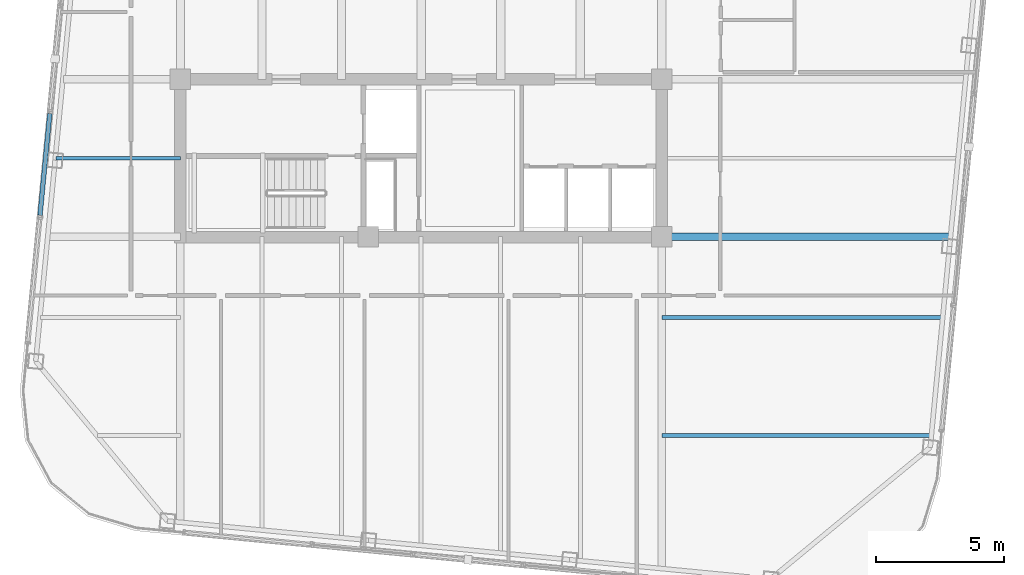
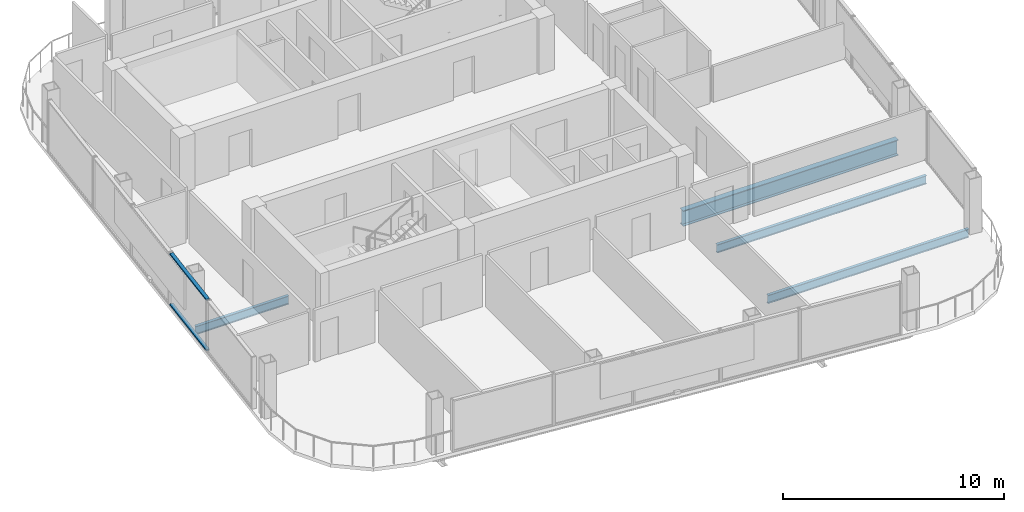
# One storey, part 6 of 22: 4 beams, 2 members, 1 element without a shape of its own.
"""IFC4 building model written with IfcOpenShell, lengths in metres."""

from ifc_helpers import new_model, si_unit, direction, frame, origin, origin_2d, place, context, subcontext, project, spatial, hollow_rectangle, i_section, extrude, material, layer, layer_set, material_profile, profile_set, type_object, element, aggregate, save


model = new_model("IFC4")

# Units and contexts
model_context = context("Model", 3, precision=1e-05, world=origin(), true_north=direction((0.0, 1.0)))
body_context = subcontext(model_context, "Body", "Model", "MODEL_VIEW")
ifc_project = project(units=[si_unit("LENGTHUNIT", "METRE"), si_unit("AREAUNIT", "SQUARE_METRE"), si_unit("VOLUMEUNIT", "CUBIC_METRE"), si_unit("PLANEANGLEUNIT", "RADIAN"), si_unit("MASSUNIT", "GRAM", prefix="KILO")], contexts=[model_context])

# Site, building, storey
site_placement = place(None, origin())
site = spatial("IfcSite", under=ifc_project, at=site_placement, CompositionType="ELEMENT")
building_placement = place(site_placement, origin())
building = spatial("IfcBuilding", under=site, at=building_placement, Name="Qhalaya Broadcast Tower", CompositionType="ELEMENT")
storey_placement = place(building_placement, frame((0.0, 0.0, 252.0)))
storey = spatial("IfcBuildingStorey", under=building, at=storey_placement, Name="L74", CompositionType="ELEMENT", Elevation=252.0)

# Beams
ifc_material_1 = material(Name="Structural Steel ASTM A992 Grade 50", Category="steel")
ifc_material_profile_1 = material_profile(ifc_material_1, i_section(OverallWidth=0.154052734375, OverallDepth=0.458984375, WebThickness=0.009033203125, FlangeThickness=0.015380859375, at=origin_2d()), Name="W18X46")
ifc_profile_set_1 = profile_set([ifc_material_profile_1], Name="Structural Steel ASTM A992 Grade 50")
beam_type_1 = type_object("IfcBeamType", Name="Composite Floor Joist J04", PredefinedType="JOIST", material=ifc_profile_set_1)
beam_1_placement = place(storey_placement, frame((9.375, -16.5, -0.41943359375), z_axis=(1.0, 0.0, 0.0), x_axis=(0.0, 1.0, 0.0)))
element("IfcBeam", 1, at=beam_1_placement, inside=storey, type_object=beam_type_1, Name="L74 J04 L74-JWE1E-1", PredefinedType="JOIST", context=body_context, shape_type="SweptSolid", body=[
    extrude(i_section(OverallWidth=0.154052734375, OverallDepth=0.458984375, WebThickness=0.009033203125, FlangeThickness=0.015380859375, at=origin_2d()), origin(), (0.0, 0.0, 1.0), 10.47802734375),
])
beam_2_placement = place(storey_placement, frame((9.375, -11.89990234375, -0.41943359375), z_axis=(1.0, 0.0, 0.0), x_axis=(0.0, 1.0, 0.0)))
element("IfcBeam", 2, at=beam_2_placement, inside=storey, type_object=beam_type_1, Name="L74 J04 L74-JWE2E-1", PredefinedType="JOIST", context=body_context, shape_type="SweptSolid", body=[
    extrude(i_section(OverallWidth=0.154052734375, OverallDepth=0.458984375, WebThickness=0.009033203125, FlangeThickness=0.015380859375, at=origin_2d()), origin(), (0.0, 0.0, 1.0), 10.9208984375),
])
beam_3_placement = place(storey_placement, frame((-14.228759765625, -5.699951171875, -0.41943359375), z_axis=(1.0, 0.0, 0.0), x_axis=(0.0, 1.0, 0.0)))
element("IfcBeam", 3, at=beam_3_placement, inside=storey, type_object=beam_type_1, Name="L74 J04 L74-JWE3W-1", PredefinedType="JOIST", context=body_context, shape_type="SweptSolid", body=[
    extrude(i_section(OverallWidth=0.154052734375, OverallDepth=0.458984375, WebThickness=0.009033203125, FlangeThickness=0.015380859375, at=origin_2d()), origin(), (0.0, 0.0, 1.0), 4.853759765625),
])

# Curtain wall, members
ifc_material_2 = material(Name="Solar-Control Low-E Triple Glazing", Category="glass")
ifc_layer = layer(ifc_material_2, 0.219970703125, Name="Solar-Control Low-E Triple Glazing")
ifc_layer_set = layer_set([ifc_layer], Name="Solar-Control Low-E Triple Glazing")
curtain_wall_type = type_object("IfcCurtainWallType", Name="High-Altitude Upper-Shaft Triple Low-E Curtain Wall CW-04", PredefinedType="NOTDEFINED", material=ifc_layer_set)
curtain_wall_placement = place(storey_placement, origin())
curtain_wall = element("IfcCurtainWall", 4, at=curtain_wall_placement, inside=storey, type_object=curtain_wall_type, Name="L74 Unitised Curtain Wall L74-CW-W4", PredefinedType="NOTDEFINED")
ifc_material_3 = material(Name="Anodised Aluminium 6063-T6", Category="aluminium")
ifc_material_profile_2 = material_profile(ifc_material_3, hollow_rectangle(XDim=0.074951171875, YDim=0.179931640625, WallThickness=0.00390625, at=origin_2d()), Name="ALU-TRN 75x180x4")
ifc_profile_set_2 = profile_set([ifc_material_profile_2], Name="Anodised Aluminium 6063-T6")
member_type = type_object("IfcMemberType", Name="Unitised Curtain-Wall Transom T01", PredefinedType="USERDEFINED", material=ifc_profile_set_2)
member_1_placement = place(storey_placement, frame((-14.463134765625, -3.95947265625, 0.03759765625), z_axis=(-0.095877212213, -0.995393168642, 0.0), x_axis=(0.0, 0.0, 1.0)))
member_1 = element("IfcMember", 5, at=member_1_placement, type_object=member_type, Name="CW-04 transom 1.1", ObjectType="TRANSOM", PredefinedType="USERDEFINED", context=body_context, shape_type="SweptSolid", body=[
    extrude(hollow_rectangle(XDim=0.074951171875, YDim=0.179931640625, WallThickness=0.00390625, at=origin_2d()), origin(), (0.0, 0.0, 1.0), 3.97998046875),
])
member_2_placement = place(storey_placement, frame((-14.463134765625, -3.95947265625, 2.822509765625), z_axis=(-0.095877212213, -0.995393168642, 0.0), x_axis=(0.0, 0.0, 1.0)))
member_2 = element("IfcMember", 6, at=member_2_placement, type_object=member_type, Name="CW-04 transom 1.2", ObjectType="TRANSOM", PredefinedType="USERDEFINED", context=body_context, shape_type="SweptSolid", body=[
    extrude(hollow_rectangle(XDim=0.074951171875, YDim=0.179931640625, WallThickness=0.00390625, at=origin_2d()), origin(), (0.0, 0.0, 1.0), 3.97998046875),
])
aggregate(curtain_wall, [member_1, member_2])

# Beam
ifc_material_profile_3 = material_profile(ifc_material_1, i_section(OverallWidth=0.2919921875, OverallDepth=0.85888671875, WebThickness=0.01708984375, FlangeThickness=0.031005859375, at=origin_2d()), Name="W33X169")
ifc_profile_set_3 = profile_set([ifc_material_profile_3], Name="Structural Steel ASTM A992 Grade 50")
beam_type_2 = type_object("IfcBeamType", Name="Upper Block Primary Girder PG4", PredefinedType="USERDEFINED", material=ifc_profile_set_3)
beam_4_placement = place(storey_placement, frame((9.375, -8.75, -0.619384765625), z_axis=(1.0, 0.0, 0.0), x_axis=(0.0, 1.0, 0.0)))
element("IfcBeam", 7, at=beam_4_placement, inside=storey, type_object=beam_type_2, Name="L74 PG4 L74-PGYE1-1", ObjectType="GIRDER", PredefinedType="USERDEFINED", context=body_context, shape_type="SweptSolid", body=[
    extrude(i_section(OverallWidth=0.2919921875, OverallDepth=0.85888671875, WebThickness=0.01708984375, FlangeThickness=0.031005859375, at=origin_2d()), origin(), (0.0, 0.0, 1.0), 11.22412109375),
])

save(model, "model.ifc")
